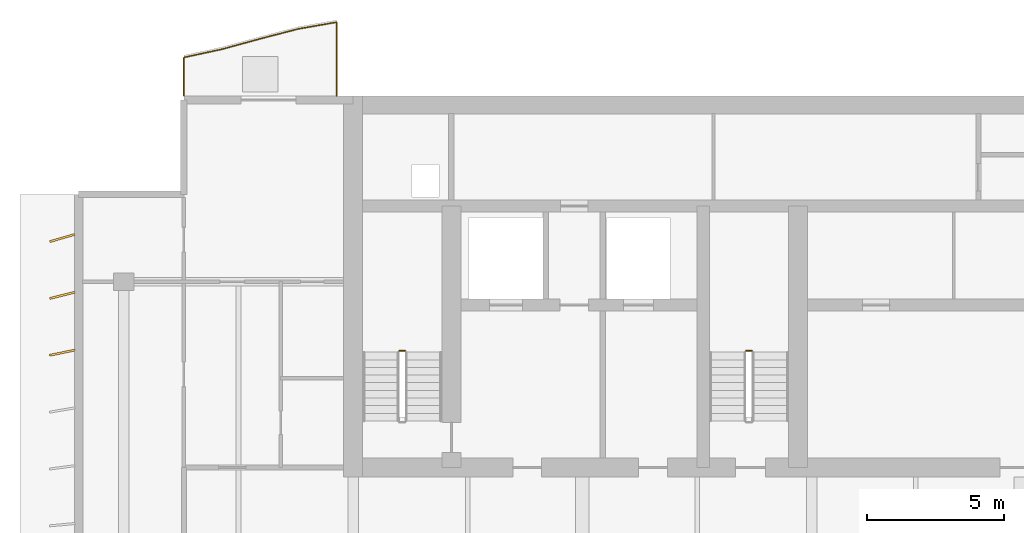
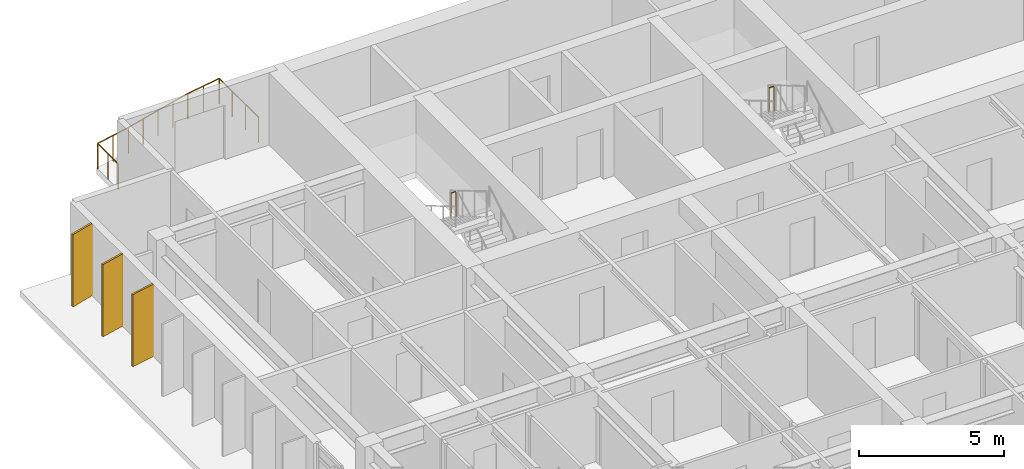
# One storey, part 16 of 17: 3 railings, 3 shading devices.
"""IFC4 building model written with IfcOpenShell, lengths in metres."""

from ifc_helpers import new_model, si_unit, direction, frame, origin, origin_2d, place, context, subcontext, project, spatial, rectangle, circle, extrude, material, material_profile, profile_set, type_object, element, save


model = new_model("IFC4")

# Units and contexts
model_context = context("Model", 3, precision=1e-05, world=origin(), true_north=direction((0.0, 1.0)))
body_context = subcontext(model_context, "Body", "Model", "MODEL_VIEW")
ifc_project = project(units=[si_unit("LENGTHUNIT", "METRE"), si_unit("AREAUNIT", "SQUARE_METRE"), si_unit("VOLUMEUNIT", "CUBIC_METRE"), si_unit("PLANEANGLEUNIT", "RADIAN"), si_unit("MASSUNIT", "GRAM", prefix="KILO")], contexts=[model_context])

# Site, building, storey
site_placement = place(None, origin())
site = spatial("IfcSite", under=ifc_project, at=site_placement, CompositionType="ELEMENT")
building_placement = place(site_placement, origin())
building = spatial("IfcBuilding", under=site, at=building_placement, Name="Caelmar Bay Residences", CompositionType="ELEMENT")
storey_placement = place(building_placement, frame((0.0, 0.0, 226.5)))
storey = spatial("IfcBuildingStorey", under=building, at=storey_placement, Name="L63", CompositionType="ELEMENT", Elevation=226.5)

# Railings
ifc_material_1 = material(Name="Anodised bronze handrail with laminated hurricane glass infill", Category="glass")
railing_type_1 = type_object("IfcRailingType", Name="RL-BAL-1100", PredefinedType="BALUSTRADE", material=ifc_material_1)
railing_placement = place(storey_placement, frame((17.699951171875, 50.60009765625, 0.0)))
element("IfcRailing", 1, at=railing_placement, inside=storey, type_object=railing_type_1, Name="L63 north_west Balcony Balustrade", PredefinedType="BALUSTRADE", context=body_context, shape_type="SweptSolid", body=[
    extrude(circle(Radius=0.02392578125, at=origin_2d()), frame((0.0, 0.0, 1.076171875), z_axis=(0.0, 1.0, 0.0), x_axis=(-1.0, 0.0, 0.0)), (0.0, 0.0, 1.0), 2.705078125),
    extrude(circle(Radius=0.02392578125, at=origin_2d()), frame((0.0, 2.705078125, 1.076171875), z_axis=(-0.985101853006, -0.171971913997, 0.0), x_axis=(0.171971913997, -0.985101853006, 0.0)), (0.0, 0.0, 1.0), 1.421142578125),
    extrude(circle(Radius=0.02392578125, at=origin_2d()), frame((-1.39990234375, 2.460693359375, 1.076171875), z_axis=(-0.968113743572, -0.250511036698, 0.0), x_axis=(0.250511036698, -0.968113743572, 0.0)), (0.0, 0.0, 1.0), 1.4462890625),
    extrude(circle(Radius=0.02392578125, at=origin_2d()), frame((-2.800048828125, 2.098388671875, 1.076171875), z_axis=(-0.964456525256, -0.264241576766, 0.0), x_axis=(0.264241576766, -0.964456525256, 0.0)), (0.0, 0.0, 1.0), 1.451416015625),
    extrude(circle(Radius=0.02392578125, at=origin_2d()), frame((-4.199951171875, 1.71484375, 1.076171875), z_axis=(-0.97754721646, -0.210716491026, 0.0), x_axis=(0.210716491026, -0.97754721646, 0.0)), (0.0, 0.0, 1.0), 1.43212890625),
    extrude(circle(Radius=0.02392578125, at=origin_2d()), frame((-5.599853515625, 1.4130859375, 1.076171875), z_axis=(0.0, -1.0, 0.0), x_axis=(1.0, 0.0, 0.0)), (0.0, 0.0, 1.0), 1.4130859375),
    extrude(circle(Radius=0.02099609375, at=origin_2d()), origin(), (0.0, 0.0, 1.0), 1.052001953125),
    extrude(circle(Radius=0.02099609375, at=origin_2d()), frame((0.0, 0.901611328125, 0.0)), (0.0, 0.0, 1.0), 1.052001953125),
    extrude(circle(Radius=0.02099609375, at=origin_2d()), frame((0.0, 1.803466796875, 0.0)), (0.0, 0.0, 1.0), 1.052001953125),
    extrude(circle(Radius=0.02099609375, at=origin_2d()), frame((0.0, 2.705078125, 0.0)), (0.0, 0.0, 1.0), 1.052001953125),
    extrude(circle(Radius=0.02099609375, at=origin_2d()), frame((-0.699951171875, 2.5830078125, 0.0)), (0.0, 0.0, 1.0), 1.052001953125),
    extrude(circle(Radius=0.02099609375, at=origin_2d()), frame((-1.39990234375, 2.460693359375, 0.0)), (0.0, 0.0, 1.0), 1.052001953125),
    extrude(circle(Radius=0.02099609375, at=origin_2d()), frame((-2.10009765625, 2.279541015625, 0.0)), (0.0, 0.0, 1.0), 1.052001953125),
    extrude(circle(Radius=0.02099609375, at=origin_2d()), frame((-2.800048828125, 2.098388671875, 0.0)), (0.0, 0.0, 1.0), 1.052001953125),
    extrude(circle(Radius=0.02099609375, at=origin_2d()), frame((-3.5, 1.90673828125, 0.0)), (0.0, 0.0, 1.0), 1.052001953125),
    extrude(circle(Radius=0.02099609375, at=origin_2d()), frame((-4.199951171875, 1.71484375, 0.0)), (0.0, 0.0, 1.0), 1.052001953125),
    extrude(circle(Radius=0.02099609375, at=origin_2d()), frame((-4.89990234375, 1.56396484375, 0.0)), (0.0, 0.0, 1.0), 1.052001953125),
    extrude(circle(Radius=0.02099609375, at=origin_2d()), frame((-5.599853515625, 1.4130859375, 0.0)), (0.0, 0.0, 1.0), 1.052001953125),
    extrude(circle(Radius=0.02099609375, at=origin_2d()), frame((-5.599853515625, 0.70654296875, 0.0)), (0.0, 0.0, 1.0), 1.052001953125),
    extrude(circle(Radius=0.02099609375, at=origin_2d()), frame((-5.599853515625, 0.0, 0.0)), (0.0, 0.0, 1.0), 1.052001953125),
])
ifc_material_2 = material(Name="Painted galvanized steel stair guard 1100 mm", Category="steel")
railing_type_2 = type_object("IfcRailingType", Name="RL-GRD-1100", PredefinedType="GUARDRAIL", material=ifc_material_2)
for number, where, name in (
    (2, (20.199951171875, 41.27001953125, 1.64990234375), "L63 ST1 stair guard 2"),
    (3, (32.89990234375, 41.27001953125, 1.64990234375), "L63 ST3 stair guard 2"),
):
    element("IfcRailing", number, at=place(storey_placement, frame(where)), inside=storey, type_object=railing_type_2, Name=name, PredefinedType="GUARDRAIL", context=body_context, shape_type="SweptSolid", body=[
        extrude(circle(Radius=0.02392578125, at=origin_2d()), frame((0.0, 0.0, 1.076171875), z_axis=(-1.0, 0.0, 0.0), x_axis=(0.0, -1.0, 0.0)), (0.0, 0.0, 1.0), 0.199951171875),
        extrude(circle(Radius=0.02099609375, at=origin_2d()), origin(), (0.0, 0.0, 1.0), 1.052001953125),
        extrude(circle(Radius=0.02099609375, at=origin_2d()), frame((-0.199951171875, 0.0, 0.0)), (0.0, 0.0, 1.0), 1.052001953125),
    ])

# Shading devices
ifc_material_3 = material(Name="Anodised architectural bronze aluminium 6063-T6", Category="aluminium")
ifc_material_profile = material_profile(ifc_material_3, rectangle(XDim=0.074951171875, YDim=0.949951171875, at=origin_2d()), Name="BRONZE-FIN-75X950")
ifc_profile_set = profile_set([ifc_material_profile], Name="Anodised architectural bronze aluminium 6063-T6")
shading_device_type = type_object("IfcShadingDeviceType", Name="SHD-FIN-950", PredefinedType="USERDEFINED", material=ifc_profile_set)
for number, where, z_axis, x_axis, name in (
    (4, (7.64990234375, 41.199951171875, 0.0), (0.0, 0.0, 1.0), (-0.2032999874, 0.979116497217, 0.0), "L63 West Bronze Solar Fin 14"),
    (5, (7.64990234375, 43.300048828125, 0.0), (0.0, 0.0, 1.0), (-0.239719743609, 0.970842131618, 0.0), "L63 West Bronze Solar Fin 15"),
    (6, (7.64990234375, 45.39990234375, 0.0), (0.0, 0.0, 1.0), (-0.275637355817, 0.961261695938, 0.0), "L63 West Bronze Solar Fin 16"),
):
    element("IfcShadingDevice", number, at=place(storey_placement, frame(where, z_axis=z_axis, x_axis=x_axis)), inside=storey, type_object=shading_device_type, Name=name, ObjectType="FIN", PredefinedType="USERDEFINED", context=body_context, shape_type="SweptSolid", body=[
        extrude(rectangle(XDim=0.074951171875, YDim=0.949951171875, at=origin_2d()), origin(), (0.0, 0.0, 1.0), 3.050048828125),
    ])

save(model, "model.ifc")
